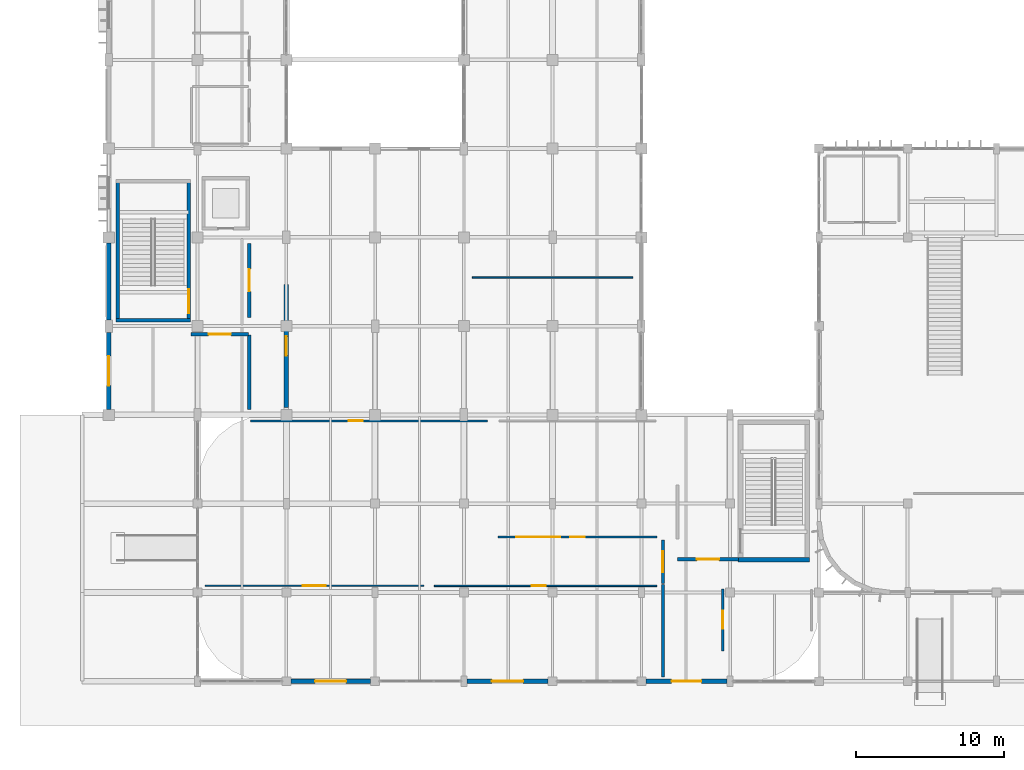
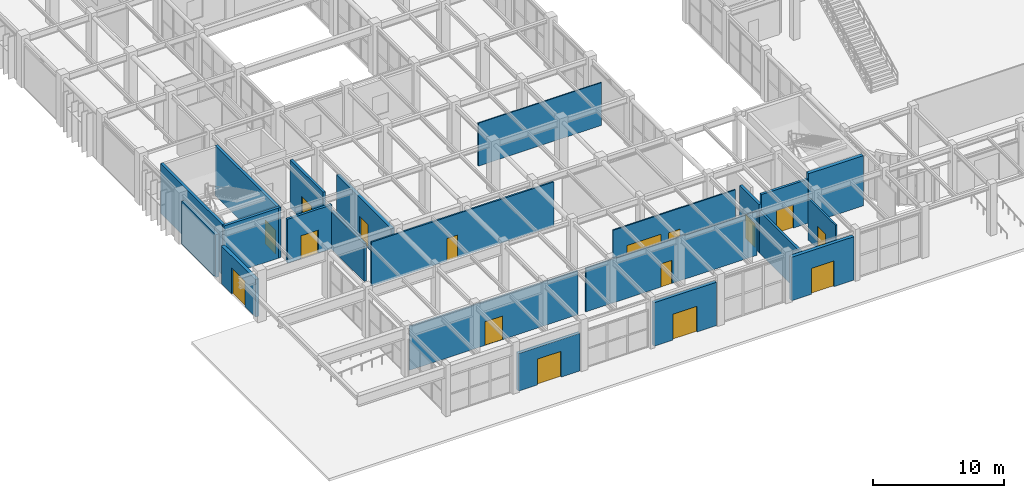
# One storey, part 40 of 76: 22 walls, 15 doors, 1 window, 16 openings.
"""IFC4 building model written with IfcOpenShell, lengths in metres."""

from ifc_helpers import new_model, si_unit, direction, frame, frame_2d, origin, place, context, subcontext, project, spatial, rectangle, extrude, material, layer, layer_set, type_object, element, fill, save


model = new_model("IFC4")

# Units and contexts
model_context = context("Model", 3, precision=1e-05, world=origin(), true_north=direction((0.0, 1.0)))
body_context = subcontext(model_context, "Body", "Model", "MODEL_VIEW")
ifc_project = project(units=[si_unit("LENGTHUNIT", "METRE"), si_unit("AREAUNIT", "SQUARE_METRE"), si_unit("VOLUMEUNIT", "CUBIC_METRE"), si_unit("PLANEANGLEUNIT", "RADIAN"), si_unit("MASSUNIT", "GRAM", prefix="KILO")], contexts=[model_context])

# Site, building, storey
site_placement = place(None, origin())
site = spatial("IfcSite", under=ifc_project, at=site_placement, CompositionType="ELEMENT")
building_placement = place(site_placement, origin())
building = spatial("IfcBuilding", under=site, at=building_placement, Name="Varnakota Square Police Headquarters", CompositionType="ELEMENT")
storey_placement = place(building_placement, origin())
storey = spatial("IfcBuildingStorey", under=building, at=storey_placement, Name="L00", CompositionType="ELEMENT", Elevation=0.0)

# Wall
ifc_material_1 = material(Name="Concrete M40", Category="concrete")
ifc_layer_1 = layer(ifc_material_1, 0.22998046875, Name="Concrete M40")
ifc_layer_set_1 = layer_set([ifc_layer_1], Name="Concrete M40")
wall_type_1 = type_object("IfcWallType", Name="WL-CORE-230", PredefinedType="SHEAR", material=ifc_layer_set_1)
wall_1_placement = place(storey_placement, frame((6.485107421875, 27.39990234375, 0.0), z_axis=(0.0, 0.0, 1.0), x_axis=(1.0, 0.0, 0.0)))
element("IfcWall", 1, at=wall_1_placement, inside=storey, type_object=wall_type_1, Name="Core C4 shear wall L00 S", PredefinedType="SHEAR", context=body_context, shape_type="SweptSolid", body=[
    extrude(rectangle(XDim=5.02978515625, YDim=0.22998046875, at=frame_2d((2.514892578125, 0.0))), origin(), (0.0, 0.0, 1.0), 4.659912109375),
])

# Wall, opening, door
wall_2_placement = place(storey_placement, frame((11.39990234375, 27.284912109375, 0.0), z_axis=(0.0, 0.0, 1.0), x_axis=(0.0, 1.0, 0.0)))
wall_2 = element("IfcWall", 2, at=wall_2_placement, inside=storey, type_object=wall_type_1, Name="Core C4 shear wall L00 E", PredefinedType="SHEAR", context=body_context, shape_type="SweptSolid", body=[
    extrude(rectangle(XDim=9.630126953125, YDim=0.22998046875, at=frame_2d((4.81494140625, 0.0))), origin(), (0.0, 0.0, 1.0), 4.659912109375),
])
opening_1_placement = place(wall_2_placement, frame((0.594970703125, 0.0, 0.0)))
opening_1 = element("IfcOpeningElement", 3, at=opening_1_placement, cuts=wall_2, Name="Opening SD065", PredefinedType="OPENING", context=body_context, shape_type="SweptSolid", body=[
    extrude(rectangle(XDim=1.60009765625, YDim=2.199951171875, at=frame_2d((0.800048828125, 1.10009765625))), frame((0.0, 0.125, 0.0), z_axis=(0.0, -1.0, 0.0), x_axis=(1.0, 0.0, 0.0)), (0.0, 0.0, 1.0), 0.25),
])
ifc_material_2 = material(Name="Powder-Coated Galvanised Steel", Category="steel")
door_type_1 = type_object("IfcDoorType", Name="DR-ST-160", OperationType="NOTDEFINED", PredefinedType="DOOR", material=ifc_material_2)
door_1_placement = place(opening_1_placement, origin())
door_1 = element("IfcDoor", 4, at=door_1_placement, inside=storey, type_object=door_type_1, Name="Protected stair door SD065", OperationType="DOUBLE_DOOR_SINGLE_SWING", OverallHeight=2.199951171875, OverallWidth=1.60009765625, PredefinedType="DOOR", context=body_context, shape_type="SweptSolid", body=[
    extrude(rectangle(XDim=1.60009765625, YDim=2.199951171875, at=frame_2d((0.800048828125, 1.10009765625))), frame((0.0, 0.02490234375, 0.0), z_axis=(0.0, -1.0, 0.0), x_axis=(1.0, 0.0, 0.0)), (0.0, 0.0, 1.0), 0.050048828125),
])
fill(opening_1, door_1)

# Walls
wall_3_placement = place(storey_placement, frame((6.60009765625, 36.9150390625, 0.0), z_axis=(0.0, 0.0, 1.0), x_axis=(0.0, -1.0, 0.0)))
element("IfcWall", 5, at=wall_3_placement, inside=storey, type_object=wall_type_1, Name="Core C4 shear wall L00 W", PredefinedType="SHEAR", context=body_context, shape_type="SweptSolid", body=[
    extrude(rectangle(XDim=9.630126953125, YDim=0.22998046875, at=frame_2d((4.81494140625, 0.0))), origin(), (0.0, 0.0, 1.0), 4.659912109375),
])
ifc_material_3 = material(Name="Concrete M50", Category="concrete")
ifc_layer_2 = layer(ifc_material_3, 0.31005859375, Name="Concrete M50")
ifc_layer_set_2 = layer_set([ifc_layer_2], Name="Concrete M50")
wall_type_2 = type_object("IfcWallType", Name="WL-CORE-310", PredefinedType="SHEAR", material=ifc_layer_set_2)
wall_4_placement = place(storey_placement, frame((48.544921875, 11.199951171875, 0.0), z_axis=(0.0, 0.0, 1.0), x_axis=(1.0, 0.0, 0.0)))
element("IfcWall", 6, at=wall_4_placement, inside=storey, type_object=wall_type_2, Name="Core C10 shear wall L00 S", PredefinedType="SHEAR", context=body_context, shape_type="SweptSolid", body=[
    extrude(rectangle(XDim=4.81005859375, YDim=0.31005859375, at=frame_2d((2.405029296875, 0.0))), origin(), (0.0, 0.0, 1.0), 4.659912109375),
])
ifc_layer_3 = layer(ifc_material_1, 0.280029296875, Name="Concrete M40")
ifc_layer_set_3 = layer_set([ifc_layer_3], Name="Concrete M40")
wall_type_3 = type_object("IfcWallType", Name="WL-EXT-280", PredefinedType="SOLIDWALL", material=ifc_layer_set_3)
wall_5_placement = place(storey_placement, frame((6.0, 27.428955078125, 0.0), z_axis=(0.0, 0.0, 1.0), x_axis=(0.0, 1.0, 0.0)))
element("IfcWall", 7, at=wall_5_placement, inside=storey, type_object=wall_type_3, Name="Exterior wall EW-L00-0384", PredefinedType="SOLIDWALL", context=body_context, shape_type="SweptSolid", body=[
    extrude(rectangle(XDim=5.192138671875, YDim=0.280029296875, at=frame_2d((2.59619140625, 0.0))), origin(), (0.0, 0.0, 1.0), 3.989990234375),
])

# Wall, opening, door
ifc_material_4 = material(Name="Precast concrete M40", Category="concrete")
ifc_layer_4 = layer(ifc_material_4, 0.300048828125, Name="Precast concrete M40")
ifc_layer_set_4 = layer_set([ifc_layer_4], Name="Precast concrete M40")
wall_type_4 = type_object("IfcWallType", Name="WL-EXT-300", PredefinedType="SOLIDWALL", material=ifc_layer_set_4)
wall_6_placement = place(storey_placement, frame((18.303955078125, 3.0, 0.0), z_axis=(0.0, 0.0, 1.0), x_axis=(1.0, 0.0, 0.0)))
wall_6 = element("IfcWall", 8, at=wall_6_placement, inside=storey, type_object=wall_type_4, Name="Exterior wall EW-L00-0085", PredefinedType="SOLIDWALL", context=body_context, shape_type="SweptSolid", body=[
    extrude(rectangle(XDim=5.39208984375, YDim=0.300048828125, at=frame_2d((2.696044921875, 0.0))), origin(), (0.0, 0.0, 1.0), 3.489990234375),
])
opening_2_placement = place(wall_6_placement, frame((1.64599609375, 0.0, 0.0)))
opening_2 = element("IfcOpeningElement", 9, at=opening_2_placement, cuts=wall_6, Name="Opening ED08", PredefinedType="OPENING", context=body_context, shape_type="SweptSolid", body=[
    extrude(rectangle(XDim=2.10009765625, YDim=2.39990234375, at=frame_2d((1.050048828125, 1.199951171875))), frame((0.0, 0.159912109375, 0.0), z_axis=(0.0, -1.0, 0.0), x_axis=(1.0, 0.0, 0.0)), (0.0, 0.0, 1.0), 0.320068359375),
])
ifc_material_5 = material(Name="Anodised Aluminium Glazed Exit Door", Category="aluminium")
door_type_2 = type_object("IfcDoorType", Name="DR-EXT-ED210", OperationType="NOTDEFINED", PredefinedType="DOOR", material=ifc_material_5)
door_2_placement = place(opening_2_placement, frame((2.10009765625, 0.0, 0.0), z_axis=(0.0, 0.0, 1.0), x_axis=(-1.0, 0.0, 0.0)))
door_2 = element("IfcDoor", 10, at=door_2_placement, inside=storey, type_object=door_type_2, Name="Exterior door ED08", OperationType="DOUBLE_DOOR_SINGLE_SWING", OverallHeight=2.39990234375, OverallWidth=2.10009765625, PredefinedType="DOOR", context=body_context, shape_type="SweptSolid", body=[
    extrude(rectangle(XDim=2.10009765625, YDim=2.39990234375, at=frame_2d((1.050048828125, 1.199951171875))), frame((0.0, 0.02490234375, 0.0), z_axis=(0.0, -1.0, 0.0), x_axis=(1.0, 0.0, 0.0)), (0.0, 0.0, 1.0), 0.050048828125),
])
fill(opening_2, door_2)

wall_7_placement = place(storey_placement, frame((30.2041015625, 3.0, 0.0), z_axis=(0.0, 0.0, 1.0), x_axis=(1.0, 0.0, 0.0)))
wall_7 = element("IfcWall", 11, at=wall_7_placement, inside=storey, type_object=wall_type_4, Name="Exterior wall EW-L00-0086", PredefinedType="SOLIDWALL", context=body_context, shape_type="SweptSolid", body=[
    extrude(rectangle(XDim=5.491943359375, YDim=0.300048828125, at=frame_2d((2.74609375, 0.0))), origin(), (0.0, 0.0, 1.0), 4.0400390625),
])
opening_3_placement = place(wall_7_placement, frame((1.696044921875, 0.0, 0.0)))
opening_3 = element("IfcOpeningElement", 12, at=opening_3_placement, cuts=wall_7, Name="Opening ED09", PredefinedType="OPENING", context=body_context, shape_type="SweptSolid", body=[
    extrude(rectangle(XDim=2.10009765625, YDim=2.39990234375, at=frame_2d((1.050048828125, 1.199951171875))), frame((0.0, 0.159912109375, 0.0), z_axis=(0.0, -1.0, 0.0), x_axis=(1.0, 0.0, 0.0)), (0.0, 0.0, 1.0), 0.320068359375),
])
door_3_placement = place(opening_3_placement, frame((2.10009765625, 0.0, 0.0), z_axis=(0.0, 0.0, 1.0), x_axis=(-1.0, 0.0, 0.0)))
door_3 = element("IfcDoor", 13, at=door_3_placement, inside=storey, type_object=door_type_2, Name="Exterior door ED09", OperationType="DOUBLE_DOOR_SINGLE_SWING", OverallHeight=2.39990234375, OverallWidth=2.10009765625, PredefinedType="DOOR", context=body_context, shape_type="SweptSolid", body=[
    extrude(rectangle(XDim=2.10009765625, YDim=2.39990234375, at=frame_2d((1.050048828125, 1.199951171875))), frame((0.0, 0.02490234375, 0.0), z_axis=(0.0, -1.0, 0.0), x_axis=(1.0, 0.0, 0.0)), (0.0, 0.0, 1.0), 0.050048828125),
])
fill(opening_3, door_3)

wall_8_placement = place(storey_placement, frame((42.303955078125, 3.0, 0.0), z_axis=(0.0, 0.0, 1.0), x_axis=(1.0, 0.0, 0.0)))
wall_8 = element("IfcWall", 14, at=wall_8_placement, inside=storey, type_object=wall_type_4, Name="Exterior wall EW-L00-0087", PredefinedType="SOLIDWALL", context=body_context, shape_type="SweptSolid", body=[
    extrude(rectangle(XDim=5.491943359375, YDim=0.300048828125, at=frame_2d((2.74609375, 0.0))), origin(), (0.0, 0.0, 1.0), 4.0400390625),
])
opening_4_placement = place(wall_8_placement, frame((1.74609375, 0.0, 0.0)))
opening_4 = element("IfcOpeningElement", 15, at=opening_4_placement, cuts=wall_8, Name="Opening ED10", PredefinedType="OPENING", context=body_context, shape_type="SweptSolid", body=[
    extrude(rectangle(XDim=2.0, YDim=2.39990234375, at=frame_2d((1.0, 1.199951171875))), frame((0.0, 0.159912109375, 0.0), z_axis=(0.0, -1.0, 0.0), x_axis=(1.0, 0.0, 0.0)), (0.0, 0.0, 1.0), 0.320068359375),
])
ifc_material_6 = material(Name="Powder-Coated Steel Exit Door", Category="steel")
door_type_3 = type_object("IfcDoorType", Name="DR-EXT-ED200", OperationType="NOTDEFINED", PredefinedType="DOOR", material=ifc_material_6)
door_4_placement = place(opening_4_placement, frame((2.0, 0.0, 0.0), z_axis=(0.0, 0.0, 1.0), x_axis=(-1.0, 0.0, 0.0)))
door_4 = element("IfcDoor", 16, at=door_4_placement, inside=storey, type_object=door_type_3, Name="Exterior door ED10", OperationType="DOUBLE_DOOR_SINGLE_SWING", OverallHeight=2.39990234375, OverallWidth=2.0, PredefinedType="DOOR", context=body_context, shape_type="SweptSolid", body=[
    extrude(rectangle(XDim=2.0, YDim=2.39990234375, at=frame_2d((1.0, 1.199951171875))), frame((0.0, 0.02490234375, 0.0), z_axis=(0.0, -1.0, 0.0), x_axis=(1.0, 0.0, 0.0)), (0.0, 0.0, 1.0), 0.050048828125),
])
fill(opening_4, door_4)

wall_9_placement = place(storey_placement, frame((6.0, 21.37890625, 0.0), z_axis=(0.0, 0.0, 1.0), x_axis=(0.0, 1.0, 0.0)))
wall_9 = element("IfcWall", 17, at=wall_9_placement, inside=storey, type_object=wall_type_4, Name="Exterior wall EW-L00-0383", PredefinedType="SOLIDWALL", context=body_context, shape_type="SweptSolid", body=[
    extrude(rectangle(XDim=5.192138671875, YDim=0.300048828125, at=frame_2d((2.59619140625, 0.0))), origin(), (0.0, 0.0, 1.0), 3.489990234375),
])
opening_5_placement = place(wall_9_placement, frame((1.595947265625, 0.0, 0.0)))
opening_5 = element("IfcOpeningElement", 18, at=opening_5_placement, cuts=wall_9, Name="Opening ED16", PredefinedType="OPENING", context=body_context, shape_type="SweptSolid", body=[
    extrude(rectangle(XDim=2.0, YDim=2.39990234375, at=frame_2d((1.0, 1.199951171875))), frame((0.0, 0.159912109375, 0.0), z_axis=(0.0, -1.0, 0.0), x_axis=(1.0, 0.0, 0.0)), (0.0, 0.0, 1.0), 0.320068359375),
])
door_5_placement = place(opening_5_placement, origin())
door_5 = element("IfcDoor", 19, at=door_5_placement, inside=storey, type_object=door_type_3, Name="Exterior door ED16", OperationType="DOUBLE_DOOR_SINGLE_SWING", OverallHeight=2.39990234375, OverallWidth=2.0, PredefinedType="DOOR", context=body_context, shape_type="SweptSolid", body=[
    extrude(rectangle(XDim=2.0, YDim=2.39990234375, at=frame_2d((1.0, 1.199951171875))), frame((0.0, 0.02490234375, 0.0), z_axis=(0.0, -1.0, 0.0), x_axis=(1.0, 0.0, 0.0)), (0.0, 0.0, 1.0), 0.050048828125),
])
fill(opening_5, door_5)

# Wall
ifc_material_7 = material(Name="Lightweight Demountable Office Partition", Category="gypsum")
ifc_layer_5 = layer(ifc_material_7, 0.094970703125, Name="Lightweight Demountable Office Partition")
ifc_layer_set_5 = layer_set([ifc_layer_5], Name="Lightweight Demountable Office Partition")
wall_type_5 = type_object("IfcWallType", Name="WL-PRT-095", PredefinedType="PARTITIONING", material=ifc_layer_set_5)
wall_10_placement = place(storey_placement, frame((41.419921875, 30.300048828125, 0.0), z_axis=(0.0, 0.0, 1.0), x_axis=(-1.0, 0.0, 0.0)))
element("IfcWall", 20, at=wall_10_placement, inside=storey, type_object=wall_type_5, Name="Interior dividing partition PW-L00-0078 (Chain-of-Custody Logging Laboratory)", PredefinedType="PARTITIONING", context=body_context, shape_type="SweptSolid", body=[
    extrude(rectangle(XDim=10.83984375, YDim=0.094970703125, at=frame_2d((5.419921875, 0.0))), origin(), (0.0, 0.0, 1.0), 3.989990234375),
])

# Wall, opening, door
ifc_material_8 = material(Name="Glazed Clean-Lab Modular Partition", Category="gypsum")
ifc_layer_6 = layer(ifc_material_8, 0.10498046875, Name="Glazed Clean-Lab Modular Partition")
ifc_layer_set_6 = layer_set([ifc_layer_6], Name="Glazed Clean-Lab Modular Partition")
wall_type_6 = type_object("IfcWallType", Name="WL-PRT-105", PredefinedType="PARTITIONING", material=ifc_layer_set_6)
wall_11_placement = place(storey_placement, frame((28.0, 9.449951171875, 0.0), z_axis=(0.0, 0.0, 1.0), x_axis=(1.0, 0.0, 0.0)))
wall_11 = element("IfcWall", 21, at=wall_11_placement, inside=storey, type_object=wall_type_6, Name="Interior partition PW-L00-0032 (Community Liaison Room)", PredefinedType="PARTITIONING", context=body_context, shape_type="SweptSolid", body=[
    extrude(rectangle(XDim=15.050048828125, YDim=0.10498046875, at=frame_2d((7.52490234375, 0.0))), origin(), (0.0, 0.0, 1.0), 4.090087890625),
])
opening_6_placement = place(wall_11_placement, frame((6.60009765625, 0.0, 0.0)))
opening_6 = element("IfcOpeningElement", 22, at=opening_6_placement, cuts=wall_11, Name="Opening D164", PredefinedType="OPENING", context=body_context, shape_type="SweptSolid", body=[
    extrude(rectangle(XDim=0.949951171875, YDim=2.14990234375, at=frame_2d((0.47509765625, 1.074951171875))), frame((0.0, 0.0625, 0.0), z_axis=(0.0, -1.0, 0.0), x_axis=(1.0, 0.0, 0.0)), (0.0, 0.0, 1.0), 0.125),
])
ifc_material_9 = material(Name="Solid-Core Teak Veneer Hardwood", Category="wood")
door_type_4 = type_object("IfcDoorType", Name="DR-OFF-095", OperationType="NOTDEFINED", PredefinedType="DOOR", material=ifc_material_9)
door_6_placement = place(opening_6_placement, origin())
door_6 = element("IfcDoor", 23, at=door_6_placement, inside=storey, type_object=door_type_4, Name="Room door D164 (Community Liaison Room)", OperationType="SINGLE_SWING_LEFT", OverallHeight=2.14990234375, OverallWidth=0.949951171875, PredefinedType="DOOR", context=body_context, shape_type="SweptSolid", body=[
    extrude(rectangle(XDim=0.949951171875, YDim=2.14990234375, at=frame_2d((0.47509765625, 1.074951171875))), frame((0.0, 0.02490234375, 0.0), z_axis=(0.0, -1.0, 0.0), x_axis=(1.0, 0.0, 0.0)), (0.0, 0.0, 1.0), 0.050048828125),
])
fill(opening_6, door_6)

# Wall, openings, door, window
ifc_material_10 = material(Name="Moisture-Resistant Tile-Backed Partition", Category="gypsum")
ifc_layer_7 = layer(ifc_material_10, 0.114990234375, Name="Moisture-Resistant Tile-Backed Partition")
ifc_layer_set_7 = layer_set([ifc_layer_7], Name="Moisture-Resistant Tile-Backed Partition")
wall_type_7 = type_object("IfcWallType", Name="WL-PRT-115", PredefinedType="PARTITIONING", material=ifc_layer_set_7)
wall_12_placement = place(storey_placement, frame((43.050048828125, 12.75, 0.0), z_axis=(0.0, 0.0, 1.0), x_axis=(-1.0, 0.0, 0.0)))
wall_12 = element("IfcWall", 24, at=wall_12_placement, inside=storey, type_object=wall_type_7, Name="Interior partition PW-L00-0034 (Public Outreach Reception Office)", PredefinedType="PARTITIONING", context=body_context, shape_type="SweptSolid", body=[
    extrude(rectangle(XDim=10.75, YDim=0.114990234375, at=frame_2d((5.375, 0.0))), origin(), (0.0, 0.0, 1.0), 4.090087890625),
])
opening_7_placement = place(wall_12_placement, frame((4.875, 0.0, 0.0)))
opening_7 = element("IfcOpeningElement", 25, at=opening_7_placement, cuts=wall_12, Name="Opening D166", PredefinedType="OPENING", context=body_context, shape_type="SweptSolid", body=[
    extrude(rectangle(XDim=1.0, YDim=2.14990234375, at=frame_2d((0.5, 1.074951171875))), frame((0.0, 0.0673828125, 0.0), z_axis=(0.0, -1.0, 0.0), x_axis=(1.0, 0.0, 0.0)), (0.0, 0.0, 1.0), 0.135009765625),
])
opening_8_placement = place(wall_12_placement, frame((6.52490234375, 0.0, 0.949951171875)))
opening_8 = element("IfcOpeningElement", 26, at=opening_8_placement, cuts=wall_12, Name="Opening IW04", PredefinedType="OPENING", context=body_context, shape_type="SweptSolid", body=[
    extrude(rectangle(XDim=3.0, YDim=1.300048828125, at=frame_2d((1.5, 0.64990234375))), frame((0.0, 0.0673828125, 0.0), z_axis=(0.0, -1.0, 0.0), x_axis=(1.0, 0.0, 0.0)), (0.0, 0.0, 1.0), 0.135009765625),
])
door_type_5 = type_object("IfcDoorType", Name="DR-OFF-100", OperationType="NOTDEFINED", PredefinedType="DOOR", material=ifc_material_9)
door_7_placement = place(opening_7_placement, origin())
door_7 = element("IfcDoor", 27, at=door_7_placement, inside=storey, type_object=door_type_5, Name="Room door D166 (Public Outreach Reception Office)", OperationType="SINGLE_SWING_LEFT", OverallHeight=2.14990234375, OverallWidth=1.0, PredefinedType="DOOR", context=body_context, shape_type="SweptSolid", body=[
    extrude(rectangle(XDim=1.0, YDim=2.14990234375, at=frame_2d((0.5, 1.074951171875))), frame((0.0, 0.02490234375, 0.0), z_axis=(0.0, -1.0, 0.0), x_axis=(1.0, 0.0, 0.0)), (0.0, 0.0, 1.0), 0.050048828125),
])
fill(opening_7, door_7)
ifc_material_11 = material(Name="Acoustic Laminated Interior Vision Glazing", Category="glass")
window_type = type_object("IfcWindowType", Name="WIN-INT-04", PartitioningType="SINGLE_PANEL", PredefinedType="WINDOW", material=ifc_material_11)
window_placement = place(opening_8_placement, origin())
window = element("IfcWindow", 28, at=window_placement, inside=storey, type_object=window_type, Name="Interior observation window IWN-L00-004", OverallHeight=1.300048828125, OverallWidth=3.0, PartitioningType="SINGLE_PANEL", PredefinedType="WINDOW", context=body_context, shape_type="SweptSolid", body=[
    extrude(rectangle(XDim=3.0, YDim=1.300048828125, at=frame_2d((1.5, 0.64990234375))), frame((0.0, 0.030029296875, 0.0), z_axis=(0.0, -1.0, 0.0), x_axis=(1.0, 0.0, 0.0)), (0.0, 0.0, 1.0), 0.06005859375),
])
fill(opening_8, window)

# Wall, opening, door
ifc_material_12 = material(Name="Acoustic Insulated Metal-Stud Partition", Category="gypsum")
ifc_layer_8 = layer(ifc_material_12, 0.125, Name="Acoustic Insulated Metal-Stud Partition")
ifc_layer_set_8 = layer_set([ifc_layer_8], Name="Acoustic Insulated Metal-Stud Partition")
wall_type_8 = type_object("IfcWallType", Name="WL-PRT-125", PredefinedType="PARTITIONING", material=ifc_layer_set_8)
wall_13_placement = place(storey_placement, frame((12.5, 9.449951171875, 0.0), z_axis=(0.0, 0.0, 1.0), x_axis=(1.0, 0.0, 0.0)))
wall_13 = element("IfcWall", 29, at=wall_13_placement, inside=storey, type_object=wall_type_8, Name="Interior partition PW-L00-0031 (Press Briefing Room)", PredefinedType="PARTITIONING", context=body_context, shape_type="SweptSolid", body=[
    extrude(rectangle(XDim=14.800048828125, YDim=0.125, at=frame_2d((7.39990234375, 0.0))), origin(), (0.0, 0.0, 1.0), 4.090087890625),
])
opening_9_placement = place(wall_13_placement, frame((6.625, 0.0, 0.0)))
opening_9 = element("IfcOpeningElement", 30, at=opening_9_placement, cuts=wall_13, Name="Opening D163", PredefinedType="OPENING", context=body_context, shape_type="SweptSolid", body=[
    extrude(rectangle(XDim=1.550048828125, YDim=2.199951171875, at=frame_2d((0.77490234375, 1.10009765625))), frame((0.0, 0.072509765625, 0.0), z_axis=(0.0, -1.0, 0.0), x_axis=(1.0, 0.0, 0.0)), (0.0, 0.0, 1.0), 0.14501953125),
])
ifc_material_13 = material(Name="Solid-Core Acoustic Oak Veneer Timber", Category="wood")
door_type_6 = type_object("IfcDoorType", Name="DR-BRF-155", OperationType="NOTDEFINED", PredefinedType="DOOR", material=ifc_material_13)
door_8_placement = place(opening_9_placement, origin())
door_8 = element("IfcDoor", 31, at=door_8_placement, inside=storey, type_object=door_type_6, Name="Room door D163 (Press Briefing Room)", OperationType="DOUBLE_DOOR_SINGLE_SWING", OverallHeight=2.199951171875, OverallWidth=1.550048828125, PredefinedType="DOOR", context=body_context, shape_type="SweptSolid", body=[
    extrude(rectangle(XDim=1.550048828125, YDim=2.199951171875, at=frame_2d((0.77490234375, 1.10009765625))), frame((0.0, 0.02490234375, 0.0), z_axis=(0.0, -1.0, 0.0), x_axis=(1.0, 0.0, 0.0)), (0.0, 0.0, 1.0), 0.050048828125),
])
fill(opening_9, door_8)

ifc_layer_9 = layer(ifc_material_12, 0.139892578125, Name="Acoustic Insulated Metal-Stud Partition")
ifc_layer_set_9 = layer_set([ifc_layer_9], Name="Acoustic Insulated Metal-Stud Partition")
wall_type_9 = type_object("IfcWallType", Name="WL-PRT-140", PredefinedType="PARTITIONING", material=ifc_layer_set_9)
wall_14_placement = place(storey_placement, frame((15.578857421875, 20.60009765625, 0.0), z_axis=(0.0, 0.0, 1.0), x_axis=(1.0, 0.0, 0.0)))
wall_14 = element("IfcWall", 32, at=wall_14_placement, inside=storey, type_object=wall_type_9, Name="Interior partition PW-L00-0033 (Public Cafe and Pantry)", PredefinedType="PARTITIONING", context=body_context, shape_type="SweptSolid", body=[
    extrude(rectangle(XDim=16.021240234375, YDim=0.139892578125, at=frame_2d((8.0107421875, 0.0))), origin(), (0.0, 0.0, 1.0), 4.08349609375),
])
opening_10_placement = place(wall_14_placement, frame((6.650390625, 0.0, 0.0)))
opening_10 = element("IfcOpeningElement", 33, at=opening_10_placement, cuts=wall_14, Name="Opening D165", PredefinedType="OPENING", context=body_context, shape_type="SweptSolid", body=[
    extrude(rectangle(XDim=0.919921875, YDim=2.10009765625, at=frame_2d((0.4599609375, 1.050048828125))), frame((0.0, 0.079833984375, 0.0), z_axis=(0.0, -1.0, 0.0), x_axis=(1.0, 0.0, 0.0)), (0.0, 0.0, 1.0), 0.159912109375),
])
ifc_material_14 = material(Name="High-Pressure Melamine-Faced Hardwood Core", Category="wood")
door_type_7 = type_object("IfcDoorType", Name="DR-PAN-092", OperationType="NOTDEFINED", PredefinedType="DOOR", material=ifc_material_14)
door_9_placement = place(opening_10_placement, origin())
door_9 = element("IfcDoor", 34, at=door_9_placement, inside=storey, type_object=door_type_7, Name="Room door D165 (Public Cafe and Pantry)", OperationType="SINGLE_SWING_RIGHT", OverallHeight=2.10009765625, OverallWidth=0.919921875, PredefinedType="DOOR", context=body_context, shape_type="SweptSolid", body=[
    extrude(rectangle(XDim=0.919921875, YDim=2.10009765625, at=frame_2d((0.4599609375, 1.050048828125))), frame((0.0, 0.02490234375, 0.0), z_axis=(0.0, -1.0, 0.0), x_axis=(1.0, 0.0, 0.0)), (0.0, 0.0, 1.0), 0.050048828125),
])
fill(opening_10, door_9)

ifc_material_15 = material(Name="Fire-Rated Double Gypsum Stud Partition", Category="gypsum")
ifc_layer_10 = layer(ifc_material_15, 0.14990234375, Name="Fire-Rated Double Gypsum Stud Partition")
ifc_layer_set_10 = layer_set([ifc_layer_10], Name="Fire-Rated Double Gypsum Stud Partition")
wall_type_10 = type_object("IfcWallType", Name="WL-PRT-150F", PredefinedType="PARTITIONING", material=ifc_layer_set_10)
wall_15_placement = place(storey_placement, frame((47.5, 5.050048828125, 0.0), z_axis=(0.0, 0.0, 1.0), x_axis=(0.0, 1.0, 0.0)))
wall_15 = element("IfcWall", 35, at=wall_15_placement, inside=storey, type_object=wall_type_10, Name="Interior partition PW-L00-0030 (Fire Command Centre)", PredefinedType="PARTITIONING", context=body_context, shape_type="SweptSolid", body=[
    extrude(rectangle(XDim=4.199951171875, YDim=0.14990234375, at=frame_2d((2.10009765625, 0.0))), origin(), (0.0, 0.0, 1.0), 3.889892578125),
])
opening_11_placement = place(wall_15_placement, frame((1.5, 0.0, 0.0)))
opening_11 = element("IfcOpeningElement", 36, at=opening_11_placement, cuts=wall_15, Name="Opening D162", PredefinedType="OPENING", context=body_context, shape_type="SweptSolid", body=[
    extrude(rectangle(XDim=1.199951171875, YDim=2.14990234375, at=frame_2d((0.60009765625, 1.074951171875))), frame((0.0, 0.0849609375, 0.0), z_axis=(0.0, -1.0, 0.0), x_axis=(1.0, 0.0, 0.0)), (0.0, 0.0, 1.0), 0.169921875),
])
ifc_material_16 = material(Name="Phenolic-Faced Fire-Rated Composite")
door_type_8 = type_object("IfcDoorType", Name="DR-LAB-120", OperationType="NOTDEFINED", PredefinedType="DOOR", material=ifc_material_16)
door_10_placement = place(opening_11_placement, origin())
door_10 = element("IfcDoor", 37, at=door_10_placement, inside=storey, type_object=door_type_8, Name="Room door D162 (Fire Command Centre)", OperationType="SINGLE_SWING_RIGHT", OverallHeight=2.14990234375, OverallWidth=1.199951171875, PredefinedType="DOOR", context=body_context, shape_type="SweptSolid", body=[
    extrude(rectangle(XDim=1.199951171875, YDim=2.14990234375, at=frame_2d((0.60009765625, 1.074951171875))), frame((0.0, 0.02490234375, 0.0), z_axis=(0.0, -1.0, 0.0), x_axis=(1.0, 0.0, 0.0)), (0.0, 0.0, 1.0), 0.050048828125),
])
fill(opening_11, door_10)

ifc_layer_11 = layer(ifc_material_1, 0.215087890625, Name="Concrete M40")
ifc_layer_set_11 = layer_set([ifc_layer_11], Name="Concrete M40")
wall_type_11 = type_object("IfcWallType", Name="WL-PRT-215F", PredefinedType="PARTITIONING", material=ifc_layer_set_11)
wall_16_placement = place(storey_placement, frame((15.5, 27.60009765625, 0.0), z_axis=(0.0, 0.0, 1.0), x_axis=(0.0, 1.0, 0.0)))
wall_16 = element("IfcWall", 38, at=wall_16_placement, inside=storey, type_object=wall_type_11, Name="Core C4 lobby fire partition L00", PredefinedType="PARTITIONING", context=body_context, shape_type="SweptSolid", body=[
    extrude(rectangle(XDim=5.0, YDim=0.215087890625, at=frame_2d((2.5, 0.0))), origin(), (0.0, 0.0, 1.0), 4.489990234375),
])
opening_12_placement = place(wall_16_placement, frame((1.75, 0.0, 0.0)))
opening_12 = element("IfcOpeningElement", 39, at=opening_12_placement, cuts=wall_16, Name="Opening FD071", PredefinedType="OPENING", context=body_context, shape_type="SweptSolid", body=[
    extrude(rectangle(XDim=1.5, YDim=2.14990234375, at=frame_2d((0.75, 1.074951171875))), frame((0.0, 0.117431640625, 0.0), z_axis=(0.0, -1.0, 0.0), x_axis=(1.0, 0.0, 0.0)), (0.0, 0.0, 1.0), 0.235107421875),
])
ifc_material_17 = material(Name="Smoke-Sealed Galvanised Acoustic Steel", Category="steel")
door_type_9 = type_object("IfcDoorType", Name="DR-FFL-150", OperationType="NOTDEFINED", PredefinedType="DOOR", material=ifc_material_17)
door_11_placement = place(opening_12_placement, origin())
door_11 = element("IfcDoor", 40, at=door_11_placement, inside=storey, type_object=door_type_9, Name="Core lobby smoke door FD071", OperationType="DOUBLE_DOOR_SINGLE_SWING", OverallHeight=2.14990234375, OverallWidth=1.5, PredefinedType="DOOR", context=body_context, shape_type="SweptSolid", body=[
    extrude(rectangle(XDim=1.5, YDim=2.14990234375, at=frame_2d((0.75, 1.074951171875))), frame((0.0, 0.02490234375, 0.0), z_axis=(0.0, -1.0, 0.0), x_axis=(1.0, 0.0, 0.0)), (0.0, 0.0, 1.0), 0.050048828125),
])
fill(opening_12, door_11)

wall_17_placement = place(storey_placement, frame((44.449951171875, 11.25, 0.0), z_axis=(0.0, 0.0, 1.0), x_axis=(1.0, 0.0, 0.0)))
wall_17 = element("IfcWall", 41, at=wall_17_placement, inside=storey, type_object=wall_type_11, Name="Core C10 lobby fire partition L00", PredefinedType="PARTITIONING", context=body_context, shape_type="SweptSolid", body=[
    extrude(rectangle(XDim=4.10009765625, YDim=0.215087890625, at=frame_2d((2.050048828125, 0.0))), origin(), (0.0, 0.0, 1.0), 4.090087890625),
])
opening_13_placement = place(wall_17_placement, frame((1.300048828125, 0.0, 0.0)))
opening_13 = element("IfcOpeningElement", 42, at=opening_13_placement, cuts=wall_17, Name="Opening FD134", PredefinedType="OPENING", context=body_context, shape_type="SweptSolid", body=[
    extrude(rectangle(XDim=1.5, YDim=2.14990234375, at=frame_2d((0.75, 1.074951171875))), frame((0.0, 0.117431640625, 0.0), z_axis=(0.0, -1.0, 0.0), x_axis=(1.0, 0.0, 0.0)), (0.0, 0.0, 1.0), 0.235107421875),
])
door_12_placement = place(opening_13_placement, origin())
door_12 = element("IfcDoor", 43, at=door_12_placement, inside=storey, type_object=door_type_9, Name="Core lobby smoke door FD134", OperationType="DOUBLE_DOOR_SINGLE_SWING", OverallHeight=2.14990234375, OverallWidth=1.5, PredefinedType="DOOR", context=body_context, shape_type="SweptSolid", body=[
    extrude(rectangle(XDim=1.5, YDim=2.14990234375, at=frame_2d((0.75, 1.074951171875))), frame((0.0, 0.02490234375, 0.0), z_axis=(0.0, -1.0, 0.0), x_axis=(1.0, 0.0, 0.0)), (0.0, 0.0, 1.0), 0.050048828125),
])
fill(opening_13, door_12)

wall_18_placement = place(storey_placement, frame((11.550048828125, 26.449951171875, 0.0), z_axis=(0.0, 0.0, 1.0), x_axis=(1.0, 0.0, 0.0)))
wall_18 = element("IfcWall", 44, at=wall_18_placement, inside=storey, type_object=wall_type_11, Name="Protected exit passageway fire wall EXW-C4-N", PredefinedType="PARTITIONING", context=body_context, shape_type="SweptSolid", body=[
    extrude(rectangle(XDim=3.89990234375, YDim=0.215087890625, at=frame_2d((1.949951171875, 0.0))), origin(), (0.0, 0.0, 1.0), 4.090087890625),
])
opening_14_placement = place(wall_18_placement, frame((1.199951171875, 0.0, 0.0)))
opening_14 = element("IfcOpeningElement", 45, at=opening_14_placement, cuts=wall_18, Name="Opening FD139", PredefinedType="OPENING", context=body_context, shape_type="SweptSolid", body=[
    extrude(rectangle(XDim=1.5, YDim=2.14990234375, at=frame_2d((0.75, 1.074951171875))), frame((0.0, 0.117431640625, 0.0), z_axis=(0.0, -1.0, 0.0), x_axis=(1.0, 0.0, 0.0)), (0.0, 0.0, 1.0), 0.235107421875),
])
door_13_placement = place(opening_14_placement, origin())
door_13 = element("IfcDoor", 46, at=door_13_placement, inside=storey, type_object=door_type_9, Name="Protected exit passageway fire door FD139", OperationType="DOUBLE_DOOR_SINGLE_SWING", OverallHeight=2.14990234375, OverallWidth=1.5, PredefinedType="DOOR", context=body_context, shape_type="SweptSolid", body=[
    extrude(rectangle(XDim=1.5, YDim=2.14990234375, at=frame_2d((0.75, 1.074951171875))), frame((0.0, 0.02490234375, 0.0), z_axis=(0.0, -1.0, 0.0), x_axis=(1.0, 0.0, 0.0)), (0.0, 0.0, 1.0), 0.050048828125),
])
fill(opening_14, door_13)

# Walls
wall_19_placement = place(storey_placement, frame((15.5, 21.35009765625, 0.0), z_axis=(0.0, 0.0, 1.0), x_axis=(0.0, 1.0, 0.0)))
element("IfcWall", 47, at=wall_19_placement, inside=storey, type_object=wall_type_11, Name="Protected exit passageway fire wall EXW-C4-E", PredefinedType="PARTITIONING", context=body_context, shape_type="SweptSolid", body=[
    extrude(rectangle(XDim=5.0498046875, YDim=0.215087890625, at=frame_2d((2.52490234375, 0.0))), origin(), (0.0, 0.0, 1.0), 3.489990234375),
])
wall_20_placement = place(storey_placement, frame((43.449951171875, 3.300048828125, 0.0), z_axis=(0.0, 0.0, 1.0), x_axis=(0.0, 1.0, 0.0)))
element("IfcWall", 48, at=wall_20_placement, inside=storey, type_object=wall_type_11, Name="Protected exit passageway fire wall EXW-C10-WS", PredefinedType="PARTITIONING", context=body_context, shape_type="SweptSolid", body=[
    extrude(rectangle(XDim=6.25, YDim=0.215087890625, at=frame_2d((3.125, 0.0))), origin(), (0.0, 0.0, 1.0), 3.889892578125),
])

# Wall, opening, door
wall_21_placement = place(storey_placement, frame((43.449951171875, 9.60009765625, 0.0), z_axis=(0.0, 0.0, 1.0), x_axis=(0.0, 1.0, 0.0)))
wall_21 = element("IfcWall", 49, at=wall_21_placement, inside=storey, type_object=wall_type_11, Name="Protected exit passageway fire wall EXW-C10-WN", PredefinedType="PARTITIONING", context=body_context, shape_type="SweptSolid", body=[
    extrude(rectangle(XDim=2.949951171875, YDim=0.215087890625, at=frame_2d((1.47509765625, 0.0))), origin(), (0.0, 0.0, 1.0), 4.489990234375),
])
opening_15_placement = place(wall_21_placement, frame((0.77490234375, 0.0, 0.0)))
opening_15 = element("IfcOpeningElement", 50, at=opening_15_placement, cuts=wall_21, Name="Opening FD142", PredefinedType="OPENING", context=body_context, shape_type="SweptSolid", body=[
    extrude(rectangle(XDim=1.39990234375, YDim=2.199951171875, at=frame_2d((0.699951171875, 1.10009765625))), frame((0.0, 0.117431640625, 0.0), z_axis=(0.0, -1.0, 0.0), x_axis=(1.0, 0.0, 0.0)), (0.0, 0.0, 1.0), 0.235107421875),
])
door_type_10 = type_object("IfcDoorType", Name="DR-ST-140", OperationType="NOTDEFINED", PredefinedType="DOOR", material=ifc_material_2)
door_14_placement = place(opening_15_placement, origin())
door_14 = element("IfcDoor", 51, at=door_14_placement, inside=storey, type_object=door_type_10, Name="Protected exit passageway fire door FD142", OperationType="DOUBLE_DOOR_SINGLE_SWING", OverallHeight=2.199951171875, OverallWidth=1.39990234375, PredefinedType="DOOR", context=body_context, shape_type="SweptSolid", body=[
    extrude(rectangle(XDim=1.39990234375, YDim=2.199951171875, at=frame_2d((0.699951171875, 1.10009765625))), frame((0.0, 0.02490234375, 0.0), z_axis=(0.0, -1.0, 0.0), x_axis=(1.0, 0.0, 0.0)), (0.0, 0.0, 1.0), 0.050048828125),
])
fill(opening_15, door_14)

ifc_layer_12 = layer(ifc_material_1, 0.2900390625, Name="Concrete M40")
ifc_layer_set_12 = layer_set([ifc_layer_12], Name="Concrete M40")
wall_type_12 = type_object("IfcWallType", Name="WL-PRT-290F", PredefinedType="PARTITIONING", material=ifc_layer_set_12)
wall_22_placement = place(storey_placement, frame((18.0, 21.5, 0.0), z_axis=(0.0, 0.0, 1.0), x_axis=(0.0, 1.0, 0.0)))
wall_22 = element("IfcWall", 52, at=wall_22_placement, inside=storey, type_object=wall_type_12, Name="Interior partition PW-L00-0041 (Forensic Specimen Intake Reception)", PredefinedType="PARTITIONING", context=body_context, shape_type="SweptSolid", body=[
    extrude(rectangle(XDim=8.300048828125, YDim=0.2900390625, at=frame_2d((4.14990234375, 0.0))), origin(), (0.0, 0.0, 1.0), 3.93994140625),
])
opening_16_placement = place(wall_22_placement, frame((3.5, 0.0, 0.0)))
opening_16 = element("IfcOpeningElement", 53, at=opening_16_placement, cuts=wall_22, Name="Opening D173", PredefinedType="OPENING", context=body_context, shape_type="SweptSolid", body=[
    extrude(rectangle(XDim=1.300048828125, YDim=2.199951171875, at=frame_2d((0.64990234375, 1.10009765625))), frame((0.0, 0.155029296875, 0.0), z_axis=(0.0, -1.0, 0.0), x_axis=(1.0, 0.0, 0.0)), (0.0, 0.0, 1.0), 0.31005859375),
])
ifc_material_18 = material(Name="Epoxy-Coated Hermetic Galvanised Steel", Category="steel")
door_type_11 = type_object("IfcDoorType", Name="DR-LAB-130", OperationType="NOTDEFINED", PredefinedType="DOOR", material=ifc_material_18)
door_15_placement = place(opening_16_placement, origin())
door_15 = element("IfcDoor", 54, at=door_15_placement, inside=storey, type_object=door_type_11, Name="Room door D173 (Forensic Specimen Intake Reception)", OperationType="SINGLE_SWING_RIGHT", OverallHeight=2.199951171875, OverallWidth=1.300048828125, PredefinedType="DOOR", context=body_context, shape_type="SweptSolid", body=[
    extrude(rectangle(XDim=1.300048828125, YDim=2.199951171875, at=frame_2d((0.64990234375, 1.10009765625))), frame((0.0, 0.02490234375, 0.0), z_axis=(0.0, -1.0, 0.0), x_axis=(1.0, 0.0, 0.0)), (0.0, 0.0, 1.0), 0.050048828125),
])
fill(opening_16, door_15)

save(model, "model.ifc")
